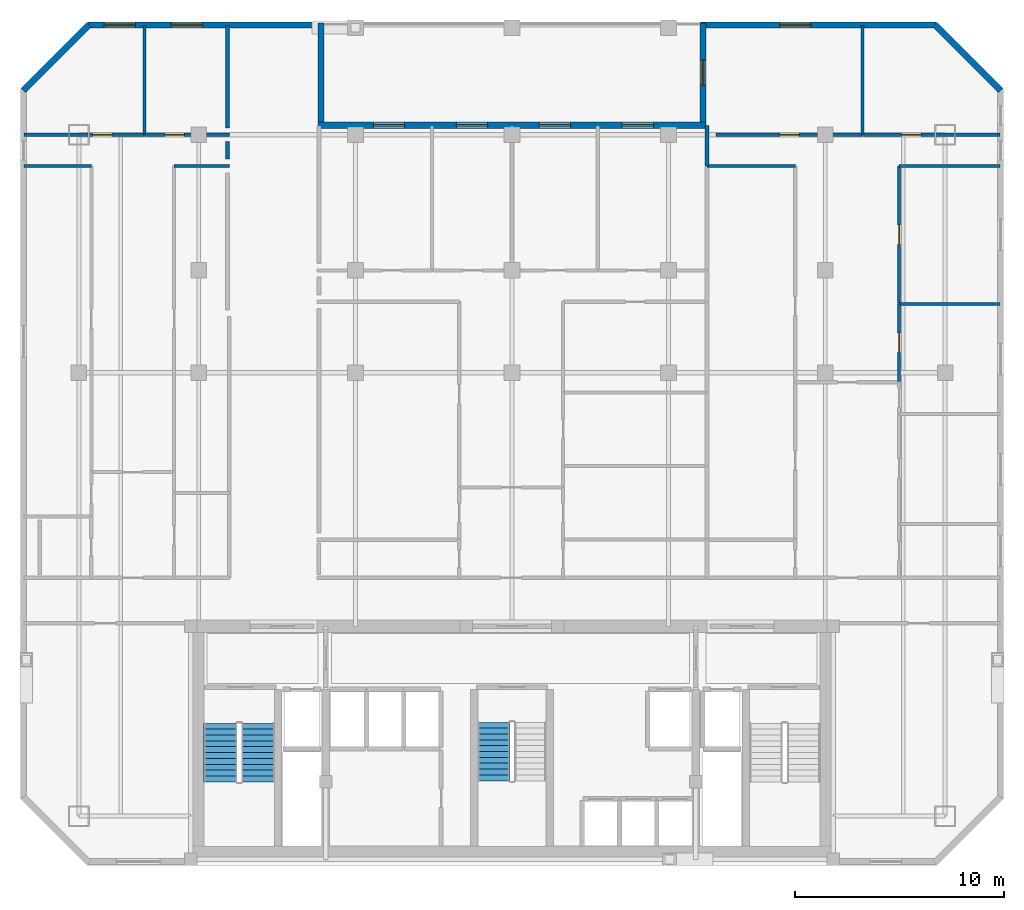
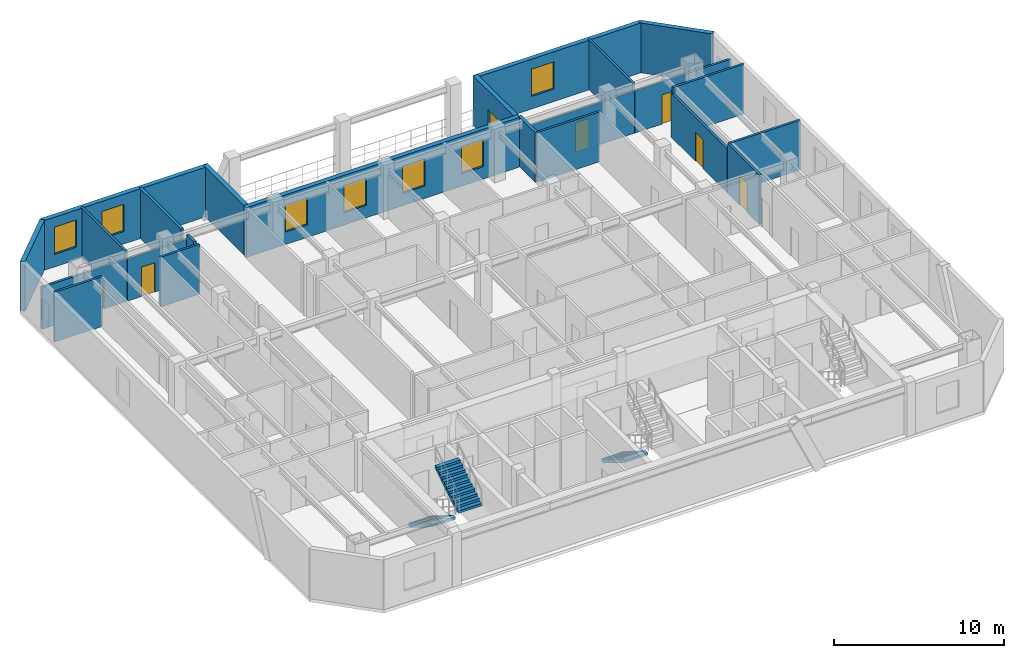
# One storey, part 6 of 8: 23 walls, 7 doors, 7 windows, 3 stair flights, 14 openings, 2 elements without a shape of their own.
"""IFC4 building model written with IfcOpenShell, lengths in metres."""

from ifc_helpers import new_model, si_unit, direction, frame, frame_2d, origin, place, context, subcontext, project, spatial, polyline, rectangle, outline, extrude, material, layer, layer_set, type_object, element, fill, aggregate, save


model = new_model("IFC4")

# Units and contexts
model_context = context("Model", 3, precision=1e-05, world=origin(), true_north=direction((0.0, 1.0)))
body_context = subcontext(model_context, "Body", "Model", "MODEL_VIEW")
ifc_project = project(units=[si_unit("LENGTHUNIT", "METRE"), si_unit("AREAUNIT", "SQUARE_METRE"), si_unit("VOLUMEUNIT", "CUBIC_METRE"), si_unit("PLANEANGLEUNIT", "RADIAN"), si_unit("MASSUNIT", "GRAM", prefix="KILO")], contexts=[model_context])

# Site, building, storey
site_placement = place(None, origin())
site = spatial("IfcSite", under=ifc_project, at=site_placement, CompositionType="ELEMENT")
building_placement = place(site_placement, origin())
building = spatial("IfcBuilding", under=site, at=building_placement, Name="Ventersveld Concourse Tower", CompositionType="ELEMENT")
storey_placement = place(building_placement, frame((0.0, 0.0, 200.300048828125)))
storey = spatial("IfcBuildingStorey", under=building, at=storey_placement, Name="L49", CompositionType="ELEMENT", Elevation=200.300048828125)

# Walls
ifc_material_1 = material(Name="Fire-rated autoclaved aerated masonry blockwork", Category="masonry")
ifc_layer_1 = layer(ifc_material_1, 0.179931640625)
ifc_layer_set_1 = layer_set([ifc_layer_1], Name="Fire-rated autoclaved aerated masonry blockwork")
wall_type_1 = type_object("IfcWallType", Name="WL-CORR-180", PredefinedType="PARTITIONING", material=ifc_layer_set_1)
wall_1_placement = place(storey_placement, frame((15.1201171875, 34.675048828125, 0.0), z_axis=(0.0, 0.0, 1.0), x_axis=(0.0, -1.0, 0.0)))
element("IfcWall", 1, at=wall_1_placement, inside=storey, type_object=wall_type_1, Name="L49 Room Enclosure Wall SP-L49-49NW-LIV", PredefinedType="PARTITIONING", context=body_context, shape_type="SweptSolid", body=[
    extrude(rectangle(XDim=0.85009765625, YDim=0.179931640625, at=frame_2d((0.425048828125, 0.0))), origin(), (0.0, 0.0, 1.0), 3.570068359375),
])
wall_2_placement = place(storey_placement, frame((15.1201171875, 40.2275390625, 0.0), z_axis=(0.0, 0.0, 1.0), x_axis=(0.0, -1.0, 0.0)))
element("IfcWall", 2, at=wall_2_placement, inside=storey, type_object=wall_type_1, Name="L49 Room Enclosure Wall SP-L49-49NW-BR2", PredefinedType="PARTITIONING", context=body_context, shape_type="SweptSolid", body=[
    extrude(rectangle(XDim=4.902587890625, YDim=0.179931640625, at=frame_2d((2.451171875, 0.0))), origin(), (0.0, 0.0, 1.0), 3.570068359375),
])
ifc_layer_2 = layer(ifc_material_1, 0.199951171875)
ifc_layer_set_2 = layer_set([ifc_layer_2], Name="Fire-rated autoclaved aerated masonry blockwork")
wall_type_2 = type_object("IfcWallType", Name="WL-DEMISE-200", PredefinedType="PARTITIONING", material=ifc_layer_set_2)
wall_3_placement = place(storey_placement, frame((38.090087890625, 33.4951171875, 0.0), z_axis=(0.0, 0.0, 1.0), x_axis=(0.0, 1.0, 0.0)))
element("IfcWall", 3, at=wall_3_placement, inside=storey, type_object=wall_type_2, Name="L49 Interior Partition SP-L49-49CE-LIV-SP-L49-49CM-BR4", PredefinedType="PARTITIONING", context=body_context, shape_type="SweptSolid", body=[
    extrude(rectangle(XDim=1.93798828125, YDim=0.199951171875, at=frame_2d((0.968994140625, 0.0))), origin(), (0.0, 0.0, 1.0), 3.570068359375),
])
ifc_material_2 = material(Name="Autoclaved aerated masonry blockwork", Category="masonry")
ifc_layer_3 = layer(ifc_material_2, 0.14990234375)
ifc_layer_set_3 = layer_set([ifc_layer_3], Name="Autoclaved aerated masonry blockwork")
wall_type_3 = type_object("IfcWallType", Name="WL-INT-150", PredefinedType="PARTITIONING", material=ifc_layer_set_3)
wall_4_placement = place(storey_placement, frame((5.37255859375, 33.5, 0.0), z_axis=(0.0, 0.0, 1.0), x_axis=(1.0, 0.0, 0.0)))
element("IfcWall", 4, at=wall_4_placement, inside=storey, type_object=wall_type_3, Name="L49 Interior Partition SP-L49-49NW-LIV-SP-L49-49NW-SEML0", PredefinedType="PARTITIONING", context=body_context, shape_type="SweptSolid", body=[
    extrude(rectangle(XDim=3.235107421875, YDim=0.14990234375, at=frame_2d((1.61767578125, 0.0))), origin(), (0.0, 0.0, 1.0), 3.570068359375),
])
wall_5_placement = place(storey_placement, frame((12.5576171875, 33.5, 0.0), z_axis=(0.0, 0.0, 1.0), x_axis=(1.0, 0.0, 0.0)))
element("IfcWall", 5, at=wall_5_placement, inside=storey, type_object=wall_type_3, Name="L49 Interior Partition SP-L49-49NW-LIV-SP-L49-49NW-DENR", PredefinedType="PARTITIONING", context=body_context, shape_type="SweptSolid", body=[
    extrude(rectangle(XDim=2.657470703125, YDim=0.14990234375, at=frame_2d((1.32861328125, 0.0))), origin(), (0.0, 0.0, 1.0), 3.570068359375),
])

# Wall, opening, door
wall_6_placement = place(storey_placement, frame((5.37255859375, 35.0, 0.0), z_axis=(0.0, 0.0, 1.0), x_axis=(1.0, 0.0, 0.0)))
wall_6 = element("IfcWall", 6, at=wall_6_placement, inside=storey, type_object=wall_type_3, Name="L49 Interior Partition SP-L49-49NW-LIV-SP-L49-49NW-BR1", PredefinedType="PARTITIONING", context=body_context, shape_type="SweptSolid", body=[
    extrude(rectangle(XDim=5.771240234375, YDim=0.14990234375, at=frame_2d((2.8857421875, 0.0))), origin(), (0.0, 0.0, 1.0), 3.025390625),
])
opening_1_placement = place(wall_6_placement, frame((3.291259765625, 0.0, 0.0)))
opening_1 = element("IfcOpeningElement", 7, at=opening_1_placement, cuts=wall_6, Name="Opening ID1", PredefinedType="OPENING", context=body_context, shape_type="SweptSolid", body=[
    extrude(rectangle(XDim=0.919921875, YDim=2.10009765625, at=frame_2d((0.4599609375, 1.050048828125))), frame((0.0, 0.0849609375, 0.0), z_axis=(0.0, -1.0, 0.0), x_axis=(1.0, 0.0, 0.0)), (0.0, 0.0, 1.0), 0.169921875),
])
ifc_material_3 = material(Name="Solid-core hardwood veneer timber", Category="wood")
door_type_1 = type_object("IfcDoorType", Name="DR-ROOM-092", OperationType="NOTDEFINED", PredefinedType="DOOR", material=ifc_material_3)
door_1_placement = place(opening_1_placement, origin())
door_1 = element("IfcDoor", 8, at=door_1_placement, inside=storey, type_object=door_type_1, Name="L49 Interior Door SP-L49-49NW-LIV to SP-L49-49NW-BR1 (D-L49-2401)", OperationType="SINGLE_SWING_LEFT", OverallHeight=2.10009765625, OverallWidth=0.919921875, PredefinedType="DOOR", context=body_context, shape_type="SweptSolid", body=[
    extrude(rectangle(XDim=0.919921875, YDim=2.10009765625, at=frame_2d((0.4599609375, 1.050048828125))), frame((0.0, 0.02490234375, 0.0), z_axis=(0.0, -1.0, 0.0), x_axis=(1.0, 0.0, 0.0)), (0.0, 0.0, 1.0), 0.050048828125),
])
fill(opening_1, door_1)

wall_7_placement = place(storey_placement, frame((11.173828125, 35.0, 0.0), z_axis=(0.0, 0.0, 1.0), x_axis=(1.0, 0.0, 0.0)))
wall_7 = element("IfcWall", 9, at=wall_7_placement, inside=storey, type_object=wall_type_3, Name="L49 Interior Partition SP-L49-49NW-LIV-SP-L49-49NW-BR2", PredefinedType="PARTITIONING", context=body_context, shape_type="SweptSolid", body=[
    extrude(rectangle(XDim=4.041259765625, YDim=0.14990234375, at=frame_2d((2.0205078125, 0.0))), origin(), (0.0, 0.0, 1.0), 3.025390625),
])
opening_2_placement = place(wall_7_placement, frame((0.954345703125, 0.0, 0.0)))
opening_2 = element("IfcOpeningElement", 10, at=opening_2_placement, cuts=wall_7, Name="Opening ID1", PredefinedType="OPENING", context=body_context, shape_type="SweptSolid", body=[
    extrude(rectangle(XDim=0.919921875, YDim=2.10009765625, at=frame_2d((0.4599609375, 1.050048828125))), frame((0.0, 0.0849609375, 0.0), z_axis=(0.0, -1.0, 0.0), x_axis=(1.0, 0.0, 0.0)), (0.0, 0.0, 1.0), 0.169921875),
])
door_2_placement = place(opening_2_placement, origin())
door_2 = element("IfcDoor", 11, at=door_2_placement, inside=storey, type_object=door_type_1, Name="L49 Interior Door SP-L49-49NW-LIV to SP-L49-49NW-BR2 (D-L49-2402)", OperationType="SINGLE_SWING_RIGHT", OverallHeight=2.10009765625, OverallWidth=0.919921875, PredefinedType="DOOR", context=body_context, shape_type="SweptSolid", body=[
    extrude(rectangle(XDim=0.919921875, YDim=2.10009765625, at=frame_2d((0.4599609375, 1.050048828125))), frame((0.0, 0.02490234375, 0.0), z_axis=(0.0, -1.0, 0.0), x_axis=(1.0, 0.0, 0.0)), (0.0, 0.0, 1.0), 0.050048828125),
])
fill(opening_2, door_2)

# Walls
wall_8_placement = place(storey_placement, frame((11.138916015625, 34.9951171875, 0.0), z_axis=(0.0, 0.0, 1.0), x_axis=(0.0, 1.0, 0.0)))
element("IfcWall", 12, at=wall_8_placement, inside=storey, type_object=wall_type_3, Name="L49 Interior Partition SP-L49-49NW-BR1-SP-L49-49NW-BR2", PredefinedType="PARTITIONING", context=body_context, shape_type="SweptSolid", body=[
    extrude(rectangle(XDim=5.232421875, YDim=0.14990234375, at=frame_2d((2.6162109375, 0.0))), origin(), (0.0, 0.0, 1.0), 3.570068359375),
])
wall_9_placement = place(storey_placement, frame((38.0849609375, 33.5, 0.0), z_axis=(0.0, 0.0, 1.0), x_axis=(1.0, 0.0, 0.0)))
element("IfcWall", 13, at=wall_9_placement, inside=storey, type_object=wall_type_3, Name="L49 Interior Partition SP-L49-49CE-LIV-SP-L49-49CE-SEML0", PredefinedType="PARTITIONING", context=body_context, shape_type="SweptSolid", body=[
    extrude(rectangle(XDim=4.237548828125, YDim=0.14990234375, at=frame_2d((2.11865234375, 0.0))), origin(), (0.0, 0.0, 1.0), 3.570068359375),
])

# Wall, opening, door
wall_10_placement = place(storey_placement, frame((47.297607421875, 23.17822265625, 0.0), z_axis=(0.0, 0.0, 1.0), x_axis=(0.0, 1.0, 0.0)))
wall_10 = element("IfcWall", 14, at=wall_10_placement, inside=storey, type_object=wall_type_3, Name="L49 Interior Partition SP-L49-49CE-LIV-SP-L49-49CE-DENS", PredefinedType="PARTITIONING", context=body_context, shape_type="SweptSolid", body=[
    extrude(rectangle(XDim=3.708740234375, YDim=0.14990234375, at=frame_2d((1.8544921875, 0.0))), origin(), (0.0, 0.0, 1.0), 3.570068359375),
])
opening_3_placement = place(wall_10_placement, frame((1.394287109375, 0.0, 0.0)))
opening_3 = element("IfcOpeningElement", 15, at=opening_3_placement, cuts=wall_10, Name="Opening ID1", PredefinedType="OPENING", context=body_context, shape_type="SweptSolid", body=[
    extrude(rectangle(XDim=0.919921875, YDim=2.10009765625, at=frame_2d((0.4599609375, 1.050048828125))), frame((0.0, 0.0849609375, 0.0), z_axis=(0.0, -1.0, 0.0), x_axis=(1.0, 0.0, 0.0)), (0.0, 0.0, 1.0), 0.169921875),
])
door_3_placement = place(opening_3_placement, origin())
door_3 = element("IfcDoor", 16, at=door_3_placement, inside=storey, type_object=door_type_1, Name="L49 Interior Door SP-L49-49CE-LIV to SP-L49-49CE-DENS (D-L49-2410)", OperationType="SINGLE_SWING_RIGHT", OverallHeight=2.10009765625, OverallWidth=0.919921875, PredefinedType="DOOR", context=body_context, shape_type="SweptSolid", body=[
    extrude(rectangle(XDim=0.919921875, YDim=2.10009765625, at=frame_2d((0.4599609375, 1.050048828125))), frame((0.0, 0.02490234375, 0.0), z_axis=(0.0, -1.0, 0.0), x_axis=(1.0, 0.0, 0.0)), (0.0, 0.0, 1.0), 0.050048828125),
])
fill(opening_3, door_3)

wall_11_placement = place(storey_placement, frame((47.297607421875, 26.9169921875, 0.0), z_axis=(0.0, 0.0, 1.0), x_axis=(0.0, 1.0, 0.0)))
wall_11 = element("IfcWall", 17, at=wall_11_placement, inside=storey, type_object=wall_type_3, Name="L49 Interior Partition SP-L49-49CE-LIV-SP-L49-49CE-DENS2", PredefinedType="PARTITIONING", context=body_context, shape_type="SweptSolid", body=[
    extrude(rectangle(XDim=6.587890625, YDim=0.14990234375, at=frame_2d((3.2939453125, 0.0))), origin(), (0.0, 0.0, 1.0), 3.16357421875),
])
opening_4_placement = place(wall_11_placement, frame((2.833984375, 0.0, 0.0)))
opening_4 = element("IfcOpeningElement", 18, at=opening_4_placement, cuts=wall_11, Name="Opening ID1", PredefinedType="OPENING", context=body_context, shape_type="SweptSolid", body=[
    extrude(rectangle(XDim=0.919921875, YDim=2.10009765625, at=frame_2d((0.4599609375, 1.050048828125))), frame((0.0, 0.0849609375, 0.0), z_axis=(0.0, -1.0, 0.0), x_axis=(1.0, 0.0, 0.0)), (0.0, 0.0, 1.0), 0.169921875),
])
door_4_placement = place(opening_4_placement, origin())
door_4 = element("IfcDoor", 19, at=door_4_placement, inside=storey, type_object=door_type_1, Name="L49 Interior Door SP-L49-49CE-LIV to SP-L49-49CE-DENS2 (D-L49-2411)", OperationType="SINGLE_SWING_LEFT", OverallHeight=2.10009765625, OverallWidth=0.919921875, PredefinedType="DOOR", context=body_context, shape_type="SweptSolid", body=[
    extrude(rectangle(XDim=0.919921875, YDim=2.10009765625, at=frame_2d((0.4599609375, 1.050048828125))), frame((0.0, 0.02490234375, 0.0), z_axis=(0.0, -1.0, 0.0), x_axis=(1.0, 0.0, 0.0)), (0.0, 0.0, 1.0), 0.050048828125),
])
fill(opening_4, door_4)

# Wall
wall_12_placement = place(storey_placement, frame((47.29248046875, 33.5, 0.0), z_axis=(0.0, 0.0, 1.0), x_axis=(1.0, 0.0, 0.0)))
element("IfcWall", 20, at=wall_12_placement, inside=storey, type_object=wall_type_3, Name="L49 Interior Partition SP-L49-49CE-LIV-SP-L49-49CE-DENS2", PredefinedType="PARTITIONING", context=body_context, shape_type="SweptSolid", body=[
    extrude(rectangle(XDim=4.8349609375, YDim=0.14990234375, at=frame_2d((2.41748046875, 0.0))), origin(), (0.0, 0.0, 1.0), 3.570068359375),
])

# Wall, opening, door
wall_13_placement = place(storey_placement, frame((38.534912109375, 35.0, 0.0), z_axis=(0.0, 0.0, 1.0), x_axis=(1.0, 0.0, 0.0)))
wall_13 = element("IfcWall", 21, at=wall_13_placement, inside=storey, type_object=wall_type_3, Name="L49 Interior Partition SP-L49-49CE-LIV-SP-L49-49CE-BR1", PredefinedType="PARTITIONING", context=body_context, shape_type="SweptSolid", body=[
    extrude(rectangle(XDim=7.015869140625, YDim=0.14990234375, at=frame_2d((3.5078125, 0.0))), origin(), (0.0, 0.0, 1.0), 3.025390625),
])
opening_5_placement = place(wall_13_placement, frame((3.048095703125, 0.0, 0.0)))
opening_5 = element("IfcOpeningElement", 22, at=opening_5_placement, cuts=wall_13, Name="Opening ID1", PredefinedType="OPENING", context=body_context, shape_type="SweptSolid", body=[
    extrude(rectangle(XDim=0.919921875, YDim=2.10009765625, at=frame_2d((0.4599609375, 1.050048828125))), frame((0.0, 0.0849609375, 0.0), z_axis=(0.0, -1.0, 0.0), x_axis=(1.0, 0.0, 0.0)), (0.0, 0.0, 1.0), 0.169921875),
])
door_5_placement = place(opening_5_placement, origin())
door_5 = element("IfcDoor", 23, at=door_5_placement, inside=storey, type_object=door_type_1, Name="L49 Interior Door SP-L49-49CE-LIV to SP-L49-49CE-BR1 (D-L49-2412)", OperationType="SINGLE_SWING_RIGHT", OverallHeight=2.10009765625, OverallWidth=0.919921875, PredefinedType="DOOR", context=body_context, shape_type="SweptSolid", body=[
    extrude(rectangle(XDim=0.919921875, YDim=2.10009765625, at=frame_2d((0.4599609375, 1.050048828125))), frame((0.0, 0.02490234375, 0.0), z_axis=(0.0, -1.0, 0.0), x_axis=(1.0, 0.0, 0.0)), (0.0, 0.0, 1.0), 0.050048828125),
])
fill(opening_5, door_5)

wall_14_placement = place(storey_placement, frame((45.580810546875, 35.0, 0.0), z_axis=(0.0, 0.0, 1.0), x_axis=(1.0, 0.0, 0.0)))
wall_14 = element("IfcWall", 24, at=wall_14_placement, inside=storey, type_object=wall_type_3, Name="L49 Interior Partition SP-L49-49CE-LIV-SP-L49-49CE-BR2", PredefinedType="PARTITIONING", context=body_context, shape_type="SweptSolid", body=[
    extrude(rectangle(XDim=6.546630859375, YDim=0.14990234375, at=frame_2d((3.2734375, 0.0))), origin(), (0.0, 0.0, 1.0), 3.025390625),
])
opening_6_placement = place(wall_14_placement, frame((1.831298828125, 0.0, 0.0)))
opening_6 = element("IfcOpeningElement", 25, at=opening_6_placement, cuts=wall_14, Name="Opening ID1", PredefinedType="OPENING", context=body_context, shape_type="SweptSolid", body=[
    extrude(rectangle(XDim=0.919921875, YDim=2.10009765625, at=frame_2d((0.4599609375, 1.050048828125))), frame((0.0, 0.0849609375, 0.0), z_axis=(0.0, -1.0, 0.0), x_axis=(1.0, 0.0, 0.0)), (0.0, 0.0, 1.0), 0.169921875),
])
door_6_placement = place(opening_6_placement, origin())
door_6 = element("IfcDoor", 26, at=door_6_placement, inside=storey, type_object=door_type_1, Name="L49 Interior Door SP-L49-49CE-LIV to SP-L49-49CE-BR2 (D-L49-2413)", OperationType="SINGLE_SWING_LEFT", OverallHeight=2.10009765625, OverallWidth=0.919921875, PredefinedType="DOOR", context=body_context, shape_type="SweptSolid", body=[
    extrude(rectangle(XDim=0.919921875, YDim=2.10009765625, at=frame_2d((0.4599609375, 1.050048828125))), frame((0.0, 0.02490234375, 0.0), z_axis=(0.0, -1.0, 0.0), x_axis=(1.0, 0.0, 0.0)), (0.0, 0.0, 1.0), 0.050048828125),
])
fill(opening_6, door_6)

# Walls
wall_15_placement = place(storey_placement, frame((47.29248046875, 26.8818359375, 0.0), z_axis=(0.0, 0.0, 1.0), x_axis=(1.0, 0.0, 0.0)))
element("IfcWall", 27, at=wall_15_placement, inside=storey, type_object=wall_type_3, Name="L49 Interior Partition SP-L49-49CE-DENS-SP-L49-49CE-DENS2", PredefinedType="PARTITIONING", context=body_context, shape_type="SweptSolid", body=[
    extrude(rectangle(XDim=4.8349609375, YDim=0.14990234375, at=frame_2d((2.41748046875, 0.0))), origin(), (0.0, 0.0, 1.0), 3.570068359375),
])
wall_16_placement = place(storey_placement, frame((45.5458984375, 34.9951171875, 0.0), z_axis=(0.0, 0.0, 1.0), x_axis=(0.0, 1.0, 0.0)))
element("IfcWall", 28, at=wall_16_placement, inside=storey, type_object=wall_type_3, Name="L49 Interior Partition SP-L49-49CE-BR1-SP-L49-49CE-BR2", PredefinedType="PARTITIONING", context=body_context, shape_type="SweptSolid", body=[
    extrude(rectangle(XDim=5.232421875, YDim=0.14990234375, at=frame_2d((2.6162109375, 0.0))), origin(), (0.0, 0.0, 1.0), 3.570068359375),
])
ifc_material_4 = material(Name="Precast concrete C45/55", Category="concrete")
ifc_layer_4 = layer(ifc_material_4, 0.300048828125)
ifc_layer_set_4 = layer_set([ifc_layer_4], Name="Precast concrete C45/55")
wall_type_4 = type_object("IfcWallType", Name="WL-PREC-300", PredefinedType="SOLIDWALL", material=ifc_layer_set_4)
wall_17_placement = place(storey_placement, frame((52.16552734375, 37.122314453125, 0.0), z_axis=(0.0, 0.0, 1.0), x_axis=(-0.707106781187, 0.707106781187, 0.0)))
element("IfcWall", 29, at=wall_17_placement, inside=storey, type_object=wall_type_4, Name="L49 Highveld Precast Facade Wall E04", PredefinedType="SOLIDWALL", context=body_context, shape_type="SweptSolid", body=[
    extrude(rectangle(XDim=4.4453125, YDim=0.300048828125, at=frame_2d((2.22265625, 0.0))), origin(), (0.0, 0.0, 1.0), 3.570068359375),
])

# Wall, opening, window
wall_18_placement = place(storey_placement, frame((49.06005859375, 40.25, 0.0), z_axis=(0.0, 0.0, 1.0), x_axis=(-1.0, 0.0, 0.0)))
wall_18 = element("IfcWall", 30, at=wall_18_placement, inside=storey, type_object=wall_type_4, Name="L49 Highveld Precast Facade Wall E05", PredefinedType="SOLIDWALL", context=body_context, shape_type="SweptSolid", body=[
    extrude(rectangle(XDim=11.27001953125, YDim=0.300048828125, at=frame_2d((5.635009765625, 0.0))), origin(), (0.0, 0.0, 1.0), 3.570068359375),
])
opening_7_placement = place(wall_18_placement, frame((5.98583984375, 0.0, 0.89990234375)))
opening_7 = element("IfcOpeningElement", 31, at=opening_7_placement, cuts=wall_18, Name="Opening W1", PredefinedType="OPENING", context=body_context, shape_type="SweptSolid", body=[
    extrude(rectangle(XDim=1.5, YDim=1.949951171875, at=frame_2d((0.75, 0.97509765625))), frame((0.0, 0.16015625, 0.0), z_axis=(0.0, -1.0, 0.0), x_axis=(1.0, 0.0, 0.0)), (0.0, 0.0, 1.0), 0.320068359375),
])
ifc_material_5 = material(Name="Tempered acoustic Low-E IGU", Category="glass")
window_type = type_object("IfcWindowType", Name="WIN-150x210", PartitioningType="SINGLE_PANEL", PredefinedType="WINDOW", material=ifc_material_5)
window_1_placement = place(opening_7_placement, origin())
window_1 = element("IfcWindow", 32, at=window_1_placement, inside=storey, type_object=window_type, Name="L49 Punched Low-E Window W-0697", OverallHeight=1.949951171875, OverallWidth=1.5, PartitioningType="SINGLE_PANEL", PredefinedType="WINDOW", context=body_context, shape_type="SweptSolid", body=[
    extrude(rectangle(XDim=1.5, YDim=1.949951171875, at=frame_2d((0.75, 0.97509765625))), frame((0.0, 0.030029296875, 0.0), z_axis=(0.0, -1.0, 0.0), x_axis=(1.0, 0.0, 0.0)), (0.0, 0.0, 1.0), 0.06005859375),
])
fill(opening_7, window_1)

# Wall, opening, door
wall_19_placement = place(storey_placement, frame((37.89990234375, 40.360107421875, 0.0), z_axis=(0.0, 0.0, 1.0), x_axis=(0.0, -1.0, 0.0)))
wall_19 = element("IfcWall", 33, at=wall_19_placement, inside=storey, type_object=wall_type_4, Name="L49 Highveld Precast Facade Wall E06", PredefinedType="SOLIDWALL", context=body_context, shape_type="SweptSolid", body=[
    extrude(rectangle(XDim=4.760009765625, YDim=0.300048828125, at=frame_2d((2.3798828125, 0.0))), origin(), (0.0, 0.0, 1.0), 3.570068359375),
])
opening_8_placement = place(wall_19_placement, frame((1.780029296875, 0.0, 0.0)))
opening_8 = element("IfcOpeningElement", 34, at=opening_8_placement, cuts=wall_19, Name="Opening TD1", PredefinedType="OPENING", context=body_context, shape_type="SweptSolid", body=[
    extrude(rectangle(XDim=1.199951171875, YDim=2.199951171875, at=frame_2d((0.60009765625, 1.10009765625))), frame((0.0, 0.16015625, 0.0), z_axis=(0.0, -1.0, 0.0), x_axis=(1.0, 0.0, 0.0)), (0.0, 0.0, 1.0), 0.320068359375),
])
ifc_material_6 = material(Name="Anodised aluminium EN AW-6063-T6", Category="aluminium")
door_type_2 = type_object("IfcDoorType", Name="DR-TERR-120", OperationType="NOTDEFINED", PredefinedType="DOOR", material=ifc_material_6)
door_7_placement = place(opening_8_placement, frame((1.199951171875, 0.0, 0.0), z_axis=(0.0, 0.0, 1.0), x_axis=(-1.0, 0.0, 0.0)))
door_7 = element("IfcDoor", 35, at=door_7_placement, inside=storey, type_object=door_type_2, Name="L49 Stepped Valley Terrace Door TD-L49-01", OperationType="SINGLE_SWING_RIGHT", OverallHeight=2.199951171875, OverallWidth=1.199951171875, PredefinedType="DOOR", context=body_context, shape_type="SweptSolid", body=[
    extrude(rectangle(XDim=1.199951171875, YDim=2.199951171875, at=frame_2d((0.60009765625, 1.10009765625))), frame((0.0, 0.02490234375, 0.0), z_axis=(0.0, -1.0, 0.0), x_axis=(1.0, 0.0, 0.0)), (0.0, 0.0, 1.0), 0.050048828125),
])
fill(opening_8, door_7)

# Wall, openings, windows
wall_20_placement = place(storey_placement, frame((38.050048828125, 35.449951171875, 0.0), z_axis=(0.0, 0.0, 1.0), x_axis=(-1.0, 0.0, 0.0)))
wall_20 = element("IfcWall", 36, at=wall_20_placement, inside=storey, type_object=wall_type_4, Name="L49 Highveld Precast Facade Wall E07", PredefinedType="SOLIDWALL", context=body_context, shape_type="SweptSolid", body=[
    extrude(rectangle(XDim=18.60009765625, YDim=0.300048828125, at=frame_2d((9.300048828125, 0.0))), origin(), (0.0, 0.0, 1.0), 3.570068359375),
])
opening_9_placement = place(wall_20_placement, frame((14.439697265625, 0.0, 0.89990234375)))
opening_9 = element("IfcOpeningElement", 37, at=opening_9_placement, cuts=wall_20, Name="Opening W1", PredefinedType="OPENING", context=body_context, shape_type="SweptSolid", body=[
    extrude(rectangle(XDim=1.5, YDim=1.949951171875, at=frame_2d((0.75, 0.97509765625))), frame((0.0, 0.16015625, 0.0), z_axis=(0.0, -1.0, 0.0), x_axis=(1.0, 0.0, 0.0)), (0.0, 0.0, 1.0), 0.320068359375),
])
opening_10_placement = place(wall_20_placement, frame((10.464111328125, 0.0, 0.89990234375)))
opening_10 = element("IfcOpeningElement", 38, at=opening_10_placement, cuts=wall_20, Name="Opening W1", PredefinedType="OPENING", context=body_context, shape_type="SweptSolid", body=[
    extrude(rectangle(XDim=1.5, YDim=1.949951171875, at=frame_2d((0.75, 0.97509765625))), frame((0.0, 0.16015625, 0.0), z_axis=(0.0, -1.0, 0.0), x_axis=(1.0, 0.0, 0.0)), (0.0, 0.0, 1.0), 0.320068359375),
])
opening_11_placement = place(wall_20_placement, frame((6.49560546875, 0.0, 0.89990234375)))
opening_11 = element("IfcOpeningElement", 39, at=opening_11_placement, cuts=wall_20, Name="Opening W1", PredefinedType="OPENING", context=body_context, shape_type="SweptSolid", body=[
    extrude(rectangle(XDim=1.5, YDim=1.949951171875, at=frame_2d((0.75, 0.97509765625))), frame((0.0, 0.16015625, 0.0), z_axis=(0.0, -1.0, 0.0), x_axis=(1.0, 0.0, 0.0)), (0.0, 0.0, 1.0), 0.320068359375),
])
opening_12_placement = place(wall_20_placement, frame((2.52001953125, 0.0, 0.89990234375)))
opening_12 = element("IfcOpeningElement", 40, at=opening_12_placement, cuts=wall_20, Name="Opening W1", PredefinedType="OPENING", context=body_context, shape_type="SweptSolid", body=[
    extrude(rectangle(XDim=1.5, YDim=1.949951171875, at=frame_2d((0.75, 0.97509765625))), frame((0.0, 0.16015625, 0.0), z_axis=(0.0, -1.0, 0.0), x_axis=(1.0, 0.0, 0.0)), (0.0, 0.0, 1.0), 0.320068359375),
])
window_2_placement = place(opening_9_placement, origin())
window_2 = element("IfcWindow", 41, at=window_2_placement, inside=storey, type_object=window_type, Name="L49 Punched Low-E Window W-0699", OverallHeight=1.949951171875, OverallWidth=1.5, PartitioningType="SINGLE_PANEL", PredefinedType="WINDOW", context=body_context, shape_type="SweptSolid", body=[
    extrude(rectangle(XDim=1.5, YDim=1.949951171875, at=frame_2d((0.75, 0.97509765625))), frame((0.0, 0.030029296875, 0.0), z_axis=(0.0, -1.0, 0.0), x_axis=(1.0, 0.0, 0.0)), (0.0, 0.0, 1.0), 0.06005859375),
])
fill(opening_9, window_2)
window_3_placement = place(opening_10_placement, origin())
window_3 = element("IfcWindow", 42, at=window_3_placement, inside=storey, type_object=window_type, Name="L49 Punched Low-E Window W-0700", OverallHeight=1.949951171875, OverallWidth=1.5, PartitioningType="SINGLE_PANEL", PredefinedType="WINDOW", context=body_context, shape_type="SweptSolid", body=[
    extrude(rectangle(XDim=1.5, YDim=1.949951171875, at=frame_2d((0.75, 0.97509765625))), frame((0.0, 0.030029296875, 0.0), z_axis=(0.0, -1.0, 0.0), x_axis=(1.0, 0.0, 0.0)), (0.0, 0.0, 1.0), 0.06005859375),
])
fill(opening_10, window_3)
window_4_placement = place(opening_11_placement, origin())
window_4 = element("IfcWindow", 43, at=window_4_placement, inside=storey, type_object=window_type, Name="L49 Punched Low-E Window W-0701", OverallHeight=1.949951171875, OverallWidth=1.5, PartitioningType="SINGLE_PANEL", PredefinedType="WINDOW", context=body_context, shape_type="SweptSolid", body=[
    extrude(rectangle(XDim=1.5, YDim=1.949951171875, at=frame_2d((0.75, 0.97509765625))), frame((0.0, 0.030029296875, 0.0), z_axis=(0.0, -1.0, 0.0), x_axis=(1.0, 0.0, 0.0)), (0.0, 0.0, 1.0), 0.06005859375),
])
fill(opening_11, window_4)
window_5_placement = place(opening_12_placement, origin())
window_5 = element("IfcWindow", 44, at=window_5_placement, inside=storey, type_object=window_type, Name="L49 Punched Low-E Window W-0702", OverallHeight=1.949951171875, OverallWidth=1.5, PartitioningType="SINGLE_PANEL", PredefinedType="WINDOW", context=body_context, shape_type="SweptSolid", body=[
    extrude(rectangle(XDim=1.5, YDim=1.949951171875, at=frame_2d((0.75, 0.97509765625))), frame((0.0, 0.030029296875, 0.0), z_axis=(0.0, -1.0, 0.0), x_axis=(1.0, 0.0, 0.0)), (0.0, 0.0, 1.0), 0.06005859375),
])
fill(opening_12, window_5)

# Wall
wall_21_placement = place(storey_placement, frame((19.60009765625, 35.60009765625, 0.0), z_axis=(0.0, 0.0, 1.0), x_axis=(0.0, 1.0, 0.0)))
element("IfcWall", 45, at=wall_21_placement, inside=storey, type_object=wall_type_4, Name="L49 Highveld Precast Facade Wall E08", PredefinedType="SOLIDWALL", context=body_context, shape_type="SweptSolid", body=[
    extrude(rectangle(XDim=4.760009765625, YDim=0.300048828125, at=frame_2d((2.3798828125, 0.0))), origin(), (0.0, 0.0, 1.0), 3.570068359375),
])

# Wall, openings, windows
wall_22_placement = place(storey_placement, frame((19.7099609375, 40.25, 0.0), z_axis=(0.0, 0.0, 1.0), x_axis=(-1.0, 0.0, 0.0)))
wall_22 = element("IfcWall", 46, at=wall_22_placement, inside=storey, type_object=wall_type_4, Name="L49 Highveld Precast Facade Wall E09", PredefinedType="SOLIDWALL", context=body_context, shape_type="SweptSolid", body=[
    extrude(rectangle(XDim=11.27001953125, YDim=0.300048828125, at=frame_2d((5.635009765625, 0.0))), origin(), (0.0, 0.0, 1.0), 3.570068359375),
])
opening_13_placement = place(wall_22_placement, frame((9.0, 0.0, 0.89990234375)))
opening_13 = element("IfcOpeningElement", 47, at=opening_13_placement, cuts=wall_22, Name="Opening W1", PredefinedType="OPENING", context=body_context, shape_type="SweptSolid", body=[
    extrude(rectangle(XDim=1.5, YDim=1.949951171875, at=frame_2d((0.75, 0.97509765625))), frame((0.0, 0.16015625, 0.0), z_axis=(0.0, -1.0, 0.0), x_axis=(1.0, 0.0, 0.0)), (0.0, 0.0, 1.0), 0.320068359375),
])
opening_14_placement = place(wall_22_placement, frame((5.78564453125, 0.0, 0.89990234375)))
opening_14 = element("IfcOpeningElement", 48, at=opening_14_placement, cuts=wall_22, Name="Opening W1", PredefinedType="OPENING", context=body_context, shape_type="SweptSolid", body=[
    extrude(rectangle(XDim=1.5, YDim=1.949951171875, at=frame_2d((0.75, 0.97509765625))), frame((0.0, 0.16015625, 0.0), z_axis=(0.0, -1.0, 0.0), x_axis=(1.0, 0.0, 0.0)), (0.0, 0.0, 1.0), 0.320068359375),
])
window_6_placement = place(opening_13_placement, origin())
window_6 = element("IfcWindow", 49, at=window_6_placement, inside=storey, type_object=window_type, Name="L49 Punched Low-E Window W-0690", OverallHeight=1.949951171875, OverallWidth=1.5, PartitioningType="SINGLE_PANEL", PredefinedType="WINDOW", context=body_context, shape_type="SweptSolid", body=[
    extrude(rectangle(XDim=1.5, YDim=1.949951171875, at=frame_2d((0.75, 0.97509765625))), frame((0.0, 0.030029296875, 0.0), z_axis=(0.0, -1.0, 0.0), x_axis=(1.0, 0.0, 0.0)), (0.0, 0.0, 1.0), 0.06005859375),
])
fill(opening_13, window_6)
window_7_placement = place(opening_14_placement, origin())
window_7 = element("IfcWindow", 50, at=window_7_placement, inside=storey, type_object=window_type, Name="L49 Punched Low-E Window W-0691", OverallHeight=1.949951171875, OverallWidth=1.5, PartitioningType="SINGLE_PANEL", PredefinedType="WINDOW", context=body_context, shape_type="SweptSolid", body=[
    extrude(rectangle(XDim=1.5, YDim=1.949951171875, at=frame_2d((0.75, 0.97509765625))), frame((0.0, 0.030029296875, 0.0), z_axis=(0.0, -1.0, 0.0), x_axis=(1.0, 0.0, 0.0)), (0.0, 0.0, 1.0), 0.06005859375),
])
fill(opening_14, window_7)

# Wall
wall_23_placement = place(storey_placement, frame((8.477783203125, 40.265625, 0.0), z_axis=(0.0, 0.0, 1.0), x_axis=(-0.707106781187, -0.707106781187, 0.0)))
element("IfcWall", 51, at=wall_23_placement, inside=storey, type_object=wall_type_4, Name="L49 Highveld Precast Facade Wall E10", PredefinedType="SOLIDWALL", context=body_context, shape_type="SweptSolid", body=[
    extrude(rectangle(XDim=4.4453125, YDim=0.300048828125, at=frame_2d((2.22265625, 0.0))), origin(), (0.0, 0.0, 1.0), 3.570068359375),
])

# Stair, stair flight
ifc_material_7 = material(Name="Concrete C50/60", Category="concrete")
stair_type_1 = type_object("IfcStairType", Name="ST-DOG-155", PredefinedType="HALF_TURN_STAIR", material=ifc_material_7)
stair_1_placement = place(storey_placement, origin())
stair_1 = element("IfcStair", 52, at=stair_1_placement, inside=storey, type_object=stair_type_1, Name="L49 Protected Central Core Escape Stair ST-03", PredefinedType="HALF_TURN_STAIR")
stair_flight_type_1 = type_object("IfcStairFlightType", Name="STF-RC-155", PredefinedType="STRAIGHT", material=ifc_material_7)
stair_flight_1_placement = place(storey_placement, frame((27.875, 6.85009765625, 0.0), z_axis=(0.0, 0.0, 1.0), x_axis=(0.0, -1.0, 0.0)))
stair_flight_1 = element("IfcStairFlight", 53, at=stair_flight_1_placement, type_object=stair_flight_type_1, Name="ST-03 flight 1", NumberOfRisers=11, NumberOfTreads=10, PredefinedType="STRAIGHT", RiserHeight=0.175, TreadLength=0.28, context=body_context, shape_type="SweptSolid", body=[
    extrude(outline(polyline([(0.0, 0.0), (0.0, 0.175048828125), (0.280029296875, 0.175048828125), (0.280029296875, 0.35009765625), (0.56005859375, 0.35009765625), (0.56005859375, 0.52490234375), (0.840087890625, 0.52490234375), (0.840087890625, 0.699951171875), (1.1201171875, 0.699951171875), (1.1201171875, 0.875), (1.39990234375, 0.875), (1.39990234375, 1.050048828125), (1.679931640625, 1.050048828125), (1.679931640625, 1.22509765625), (1.9599609375, 1.22509765625), (1.9599609375, 1.39990234375), (2.239990234375, 1.39990234375), (2.239990234375, 1.574951171875), (2.52001953125, 1.574951171875), (2.52001953125, 1.75), (2.800048828125, 1.75), (2.800048828125, 1.925048828125), (2.800048828125, 1.5732421875), (0.28271484375, 0.0), (0.0, 0.0)])), frame((0.0, 0.77490234375, 0.0), z_axis=(0.0, -1.0, 0.0), x_axis=(1.0, 0.0, 0.0)), (0.0, 0.0, 1.0), 1.550048828125),
])
aggregate(stair_1, [stair_flight_1])

# Stair, stair flights
stair_type_2 = type_object("IfcStairType", Name="ST-DOG-160", PredefinedType="HALF_TURN_STAIR", material=ifc_material_7)
stair_2_placement = place(storey_placement, origin())
stair_2 = element("IfcStair", 54, at=stair_2_placement, inside=storey, type_object=stair_type_2, Name="L49 Protected Tower Escape Stair ST-01", PredefinedType="HALF_TURN_STAIR")
stair_flight_type_2 = type_object("IfcStairFlightType", Name="STF-RC-160", PredefinedType="STRAIGHT", material=ifc_material_7)
stair_flight_2_placement = place(storey_placement, frame((14.780029296875, 6.800048828125, 0.0), z_axis=(0.0, 0.0, 1.0), x_axis=(0.0, -1.0, 0.0)))
stair_flight_2 = element("IfcStairFlight", 55, at=stair_flight_2_placement, type_object=stair_flight_type_2, Name="ST-01 flight 1", NumberOfRisers=11, NumberOfTreads=10, PredefinedType="STRAIGHT", RiserHeight=0.175, TreadLength=0.28, context=body_context, shape_type="SweptSolid", body=[
    extrude(outline(polyline([(0.0, 0.0), (0.0, 0.175048828125), (0.280029296875, 0.175048828125), (0.280029296875, 0.35009765625), (0.56005859375, 0.35009765625), (0.56005859375, 0.52490234375), (0.840087890625, 0.52490234375), (0.840087890625, 0.699951171875), (1.1201171875, 0.699951171875), (1.1201171875, 0.875), (1.39990234375, 0.875), (1.39990234375, 1.050048828125), (1.679931640625, 1.050048828125), (1.679931640625, 1.22509765625), (1.9599609375, 1.22509765625), (1.9599609375, 1.39990234375), (2.239990234375, 1.39990234375), (2.239990234375, 1.574951171875), (2.52001953125, 1.574951171875), (2.52001953125, 1.75), (2.800048828125, 1.75), (2.800048828125, 1.925048828125), (2.800048828125, 1.5732421875), (0.28271484375, 0.0), (0.0, 0.0)])), frame((0.0, 0.800048828125, 0.0), z_axis=(0.0, -1.0, 0.0), x_axis=(1.0, 0.0, 0.0)), (0.0, 0.0, 1.0), 1.60009765625),
])
stair_flight_3_placement = place(storey_placement, frame((16.580078125, 4.0, 1.925048828125), z_axis=(0.0, 0.0, 1.0), x_axis=(0.0, 1.0, 0.0)))
stair_flight_3 = element("IfcStairFlight", 56, at=stair_flight_3_placement, type_object=stair_flight_type_2, Name="ST-01 flight 2", NumberOfRisers=11, NumberOfTreads=10, PredefinedType="STRAIGHT", RiserHeight=0.175, TreadLength=0.28, context=body_context, shape_type="SweptSolid", body=[
    extrude(outline(polyline([(0.0, 0.0), (0.0, 0.175048828125), (0.280029296875, 0.175048828125), (0.280029296875, 0.35009765625), (0.56005859375, 0.35009765625), (0.56005859375, 0.52490234375), (0.840087890625, 0.52490234375), (0.840087890625, 0.699951171875), (1.1201171875, 0.699951171875), (1.1201171875, 0.875), (1.39990234375, 0.875), (1.39990234375, 1.050048828125), (1.679931640625, 1.050048828125), (1.679931640625, 1.22509765625), (1.9599609375, 1.22509765625), (1.9599609375, 1.39990234375), (2.239990234375, 1.39990234375), (2.239990234375, 1.574951171875), (2.52001953125, 1.574951171875), (2.52001953125, 1.75), (2.800048828125, 1.75), (2.800048828125, 1.925048828125), (2.800048828125, 1.5732421875), (0.28271484375, 0.0), (0.0, 0.0)])), frame((0.0, 0.800048828125, 0.0), z_axis=(0.0, -1.0, 0.0), x_axis=(1.0, 0.0, 0.0)), (0.0, 0.0, 1.0), 1.60009765625),
])
aggregate(stair_2, [stair_flight_2, stair_flight_3])

save(model, "model.ifc")
